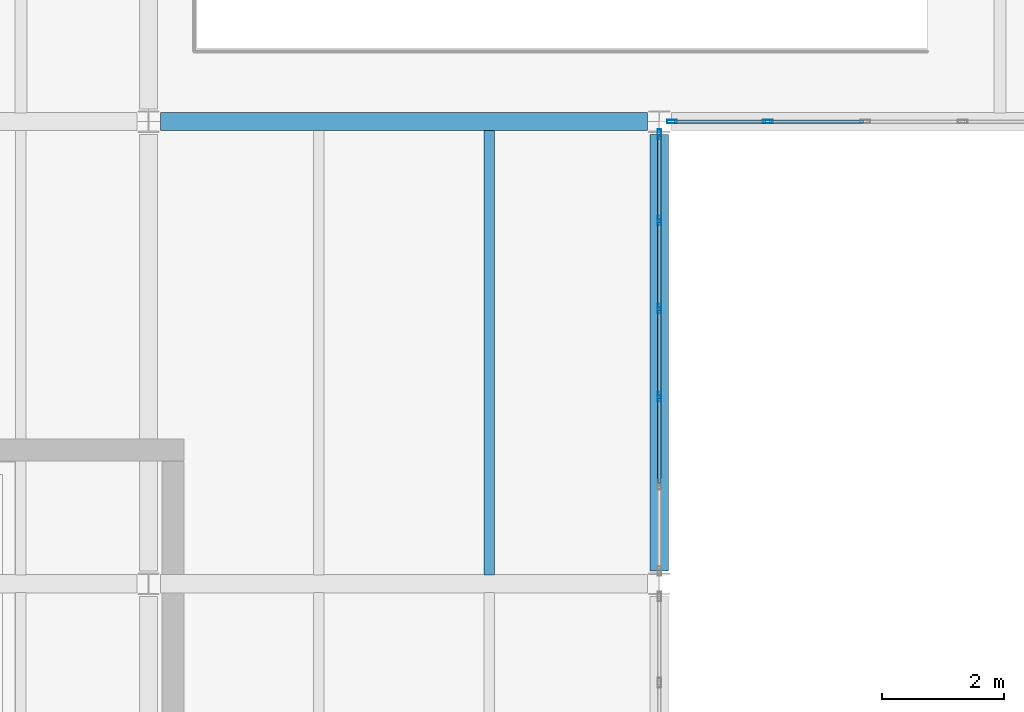
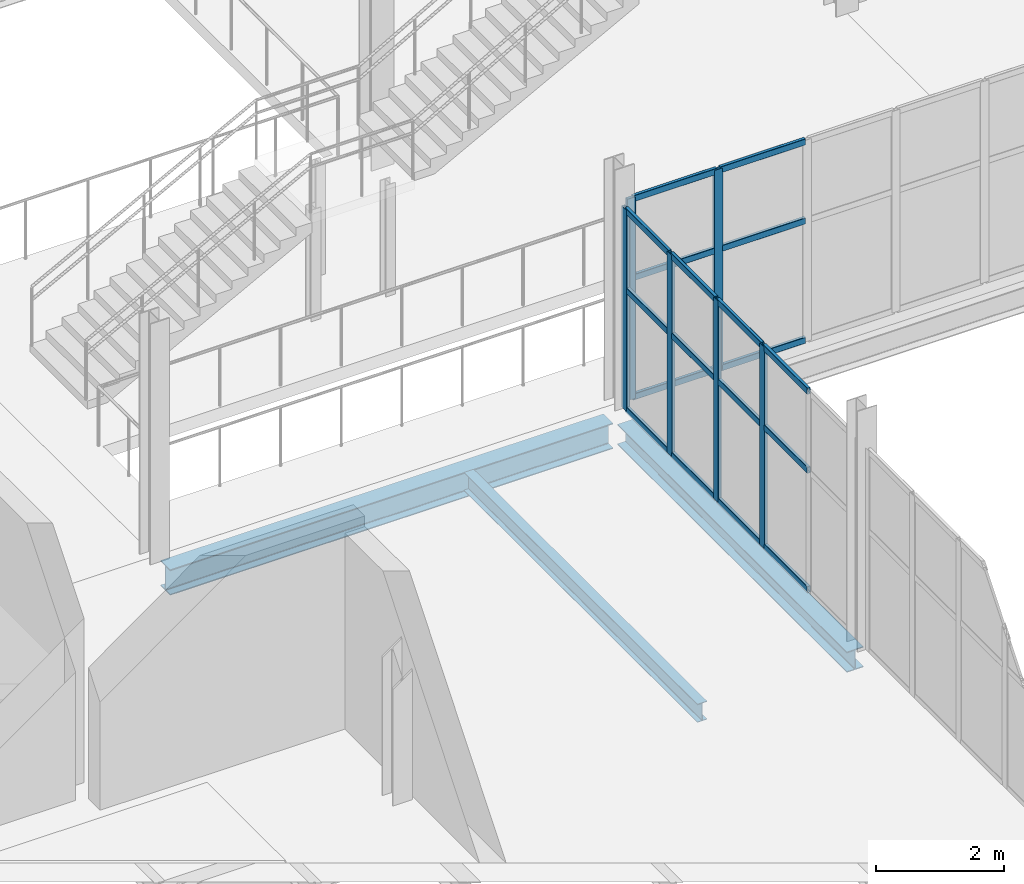
# One storey, part 39 of 172: 24 members, 3 beams, 2 elements without a shape of their own.
"""IFC4 building model written with IfcOpenShell, lengths in metres."""

from ifc_helpers import new_model, si_unit, direction, frame, origin, origin_2d, place, context, subcontext, project, spatial, hollow_rectangle, i_section, extrude, material, material_profile, profile_set, type_object, element, aggregate, save


model = new_model("IFC4")

# Units and contexts
model_context = context("Model", 3, precision=1e-05, world=origin(), true_north=direction((0.0, 1.0)))
body_context = subcontext(model_context, "Body", "Model", "MODEL_VIEW")
ifc_project = project(units=[si_unit("LENGTHUNIT", "METRE"), si_unit("AREAUNIT", "SQUARE_METRE"), si_unit("VOLUMEUNIT", "CUBIC_METRE"), si_unit("PLANEANGLEUNIT", "RADIAN"), si_unit("MASSUNIT", "GRAM", prefix="KILO")], contexts=[model_context])

# Site, building, storey
site_placement = place(None, origin())
site = spatial("IfcSite", under=ifc_project, at=site_placement, CompositionType="ELEMENT")
building_placement = place(site_placement, origin())
building = spatial("IfcBuilding", under=site, at=building_placement, Name="Shengluoqiao Park Theatre", CompositionType="ELEMENT")
storey_placement = place(building_placement, frame((0.0, 0.0, 5.39990234375)))
storey = spatial("IfcBuildingStorey", under=building, at=storey_placement, Name="L01", CompositionType="ELEMENT", Elevation=5.39990234375)

# Curtain wall, members
ifc_material_1 = material(Name="Aluminium 6063-T6", Category="aluminium")
curtain_wall_type_1 = type_object("IfcCurtainWallType", Name="ENV-CW-COURT", PredefinedType="NOTDEFINED", material=ifc_material_1)
curtain_wall_1_placement = place(storey_placement, origin())
curtain_wall_1 = element("IfcCurtainWall", 1, at=curtain_wall_1_placement, inside=storey, type_object=curtain_wall_type_1, Name="L01 Curtain Wall CWX-L01-0022", PredefinedType="NOTDEFINED")
ifc_material_profile_1 = material_profile(ifc_material_1, hollow_rectangle(XDim=0.06005859375, YDim=0.159912109375, WallThickness=0.00390625, InnerFilletRadius=0.00390625, OuterFilletRadius=0.008056640625, at=origin_2d()), Name="ALU MULLION 160x60x4")
ifc_profile_set_1 = profile_set([ifc_material_profile_1], Name="Aluminium 6063-T6")
member_type_1 = type_object("IfcMemberType", Name="ENV-MUL-160", PredefinedType="MULLION", material=ifc_profile_set_1)
member_1_placement = place(storey_placement, frame((36.0, 48.67578125, 0.0), z_axis=(0.0, 0.0, 1.0), x_axis=(-1.0, 0.0, 0.0)))
member_1 = element("IfcMember", 2, at=member_1_placement, type_object=member_type_1, Name="CW-05 mullion 3", PredefinedType="MULLION", context=body_context, shape_type="SweptSolid", body=[
    extrude(hollow_rectangle(XDim=0.06005859375, YDim=0.159912109375, WallThickness=0.00390625, InnerFilletRadius=0.00390625, OuterFilletRadius=0.008056640625, at=origin_2d()), origin(), (0.0, 0.0, 1.0), 3.85009765625),
])
member_2_placement = place(storey_placement, frame((36.0, 50.124267578125, 0.0), z_axis=(0.0, 0.0, 1.0), x_axis=(-1.0, 0.0, 0.0)))
member_2 = element("IfcMember", 3, at=member_2_placement, type_object=member_type_1, Name="CW-05 mullion 4", PredefinedType="MULLION", context=body_context, shape_type="SweptSolid", body=[
    extrude(hollow_rectangle(XDim=0.06005859375, YDim=0.159912109375, WallThickness=0.00390625, InnerFilletRadius=0.00390625, OuterFilletRadius=0.008056640625, at=origin_2d()), origin(), (0.0, 0.0, 1.0), 3.85009765625),
])
member_3_placement = place(storey_placement, frame((36.0, 51.572509765625, 0.0), z_axis=(0.0, 0.0, 1.0), x_axis=(-1.0, 0.0, 0.0)))
member_3 = element("IfcMember", 4, at=member_3_placement, type_object=member_type_1, Name="CW-05 mullion 5", PredefinedType="MULLION", context=body_context, shape_type="SweptSolid", body=[
    extrude(hollow_rectangle(XDim=0.06005859375, YDim=0.159912109375, WallThickness=0.00390625, InnerFilletRadius=0.00390625, OuterFilletRadius=0.008056640625, at=origin_2d()), origin(), (0.0, 0.0, 1.0), 3.85009765625),
])
member_4_placement = place(storey_placement, frame((36.0, 52.990966796875, 0.0), z_axis=(0.0, 0.0, 1.0), x_axis=(-1.0, 0.0, 0.0)))
member_4 = element("IfcMember", 5, at=member_4_placement, type_object=member_type_1, Name="CW-05 mullion 6", PredefinedType="MULLION", context=body_context, shape_type="SweptSolid", body=[
    extrude(hollow_rectangle(XDim=0.06005859375, YDim=0.159912109375, WallThickness=0.00390625, InnerFilletRadius=0.00390625, OuterFilletRadius=0.008056640625, at=origin_2d()), origin(), (0.0, 0.0, 1.0), 3.85009765625),
])

curtain_wall_type_2 = type_object("IfcCurtainWallType", Name="ENV-CW-FOYER", PredefinedType="NOTDEFINED", material=ifc_material_1)
curtain_wall_2_placement = place(storey_placement, origin())
curtain_wall_2 = element("IfcCurtainWall", 6, at=curtain_wall_2_placement, inside=storey, type_object=curtain_wall_type_2, Name="L01 Curtain Wall CWX-L01-0212", PredefinedType="NOTDEFINED")
member_5_placement = place(storey_placement, frame((36.208984375, 53.199951171875, 0.0), z_axis=(0.0, 0.0, 1.0), x_axis=(0.0, 1.0, 0.0)))
member_5 = element("IfcMember", 7, at=member_5_placement, type_object=member_type_1, Name="CW-01 mullion 1", PredefinedType="MULLION", context=body_context, shape_type="SweptSolid", body=[
    extrude(hollow_rectangle(XDim=0.06005859375, YDim=0.159912109375, WallThickness=0.00390625, InnerFilletRadius=0.00390625, OuterFilletRadius=0.008056640625, at=origin_2d()), origin(), (0.0, 0.0, 1.0), 3.85009765625),
])
member_6_placement = place(storey_placement, frame((37.782470703125, 53.199951171875, 0.0), z_axis=(0.0, 0.0, 1.0), x_axis=(0.0, 1.0, 0.0)))
member_6 = element("IfcMember", 8, at=member_6_placement, type_object=member_type_1, Name="CW-01 mullion 2", PredefinedType="MULLION", context=body_context, shape_type="SweptSolid", body=[
    extrude(hollow_rectangle(XDim=0.06005859375, YDim=0.159912109375, WallThickness=0.00390625, InnerFilletRadius=0.00390625, OuterFilletRadius=0.008056640625, at=origin_2d()), origin(), (0.0, 0.0, 1.0), 3.85009765625),
])

# Member
ifc_material_profile_2 = material_profile(ifc_material_1, hollow_rectangle(XDim=0.06005859375, YDim=0.1201171875, WallThickness=0.00390625, InnerFilletRadius=0.00390625, OuterFilletRadius=0.008056640625, at=origin_2d()), Name="ALU TRANSOM 120x60x4")
ifc_profile_set_2 = profile_set([ifc_material_profile_2], Name="Aluminium 6063-T6")
member_type_2 = type_object("IfcMemberType", Name="ENV-TRN-120", PredefinedType="USERDEFINED", material=ifc_profile_set_2)
member_7_placement = place(storey_placement, frame((36.0, 47.25732421875, 0.030029296875), z_axis=(0.0, 1.0, 0.0), x_axis=(-1.0, 0.0, 0.0)))
member_7 = element("IfcMember", 9, at=member_7_placement, type_object=member_type_2, Name="CW-05 transom 2.1", ObjectType="TRANSOM", PredefinedType="USERDEFINED", context=body_context, shape_type="SweptSolid", body=[
    extrude(hollow_rectangle(XDim=0.06005859375, YDim=0.1201171875, WallThickness=0.00390625, InnerFilletRadius=0.00390625, OuterFilletRadius=0.008056640625, at=origin_2d()), origin(), (0.0, 0.0, 1.0), 1.388427734375),
])

member_8_placement = place(storey_placement, frame((36.0, 47.25732421875, 2.31005859375), z_axis=(0.0, 1.0, 0.0), x_axis=(-1.0, 0.0, 0.0)))
member_8 = element("IfcMember", 10, at=member_8_placement, type_object=member_type_2, Name="CW-05 transom 2.2", ObjectType="TRANSOM", PredefinedType="USERDEFINED", context=body_context, shape_type="SweptSolid", body=[
    extrude(hollow_rectangle(XDim=0.06005859375, YDim=0.1201171875, WallThickness=0.00390625, InnerFilletRadius=0.00390625, OuterFilletRadius=0.008056640625, at=origin_2d()), origin(), (0.0, 0.0, 1.0), 1.388427734375),
])

member_9_placement = place(storey_placement, frame((36.0, 47.25732421875, 3.820068359375), z_axis=(0.0, 1.0, 0.0), x_axis=(-1.0, 0.0, 0.0)))
member_9 = element("IfcMember", 11, at=member_9_placement, type_object=member_type_2, Name="CW-05 transom 2.3", ObjectType="TRANSOM", PredefinedType="USERDEFINED", context=body_context, shape_type="SweptSolid", body=[
    extrude(hollow_rectangle(XDim=0.06005859375, YDim=0.1201171875, WallThickness=0.00390625, InnerFilletRadius=0.00390625, OuterFilletRadius=0.008056640625, at=origin_2d()), origin(), (0.0, 0.0, 1.0), 1.388427734375),
])

member_10_placement = place(storey_placement, frame((36.0, 48.705810546875, 0.030029296875), z_axis=(0.0, 1.0, 0.0), x_axis=(-1.0, 0.0, 0.0)))
member_10 = element("IfcMember", 12, at=member_10_placement, type_object=member_type_2, Name="CW-05 transom 3.1", ObjectType="TRANSOM", PredefinedType="USERDEFINED", context=body_context, shape_type="SweptSolid", body=[
    extrude(hollow_rectangle(XDim=0.06005859375, YDim=0.1201171875, WallThickness=0.00390625, InnerFilletRadius=0.00390625, OuterFilletRadius=0.008056640625, at=origin_2d()), origin(), (0.0, 0.0, 1.0), 1.388427734375),
])

member_11_placement = place(storey_placement, frame((36.0, 48.705810546875, 2.31005859375), z_axis=(0.0, 1.0, 0.0), x_axis=(-1.0, 0.0, 0.0)))
member_11 = element("IfcMember", 13, at=member_11_placement, type_object=member_type_2, Name="CW-05 transom 3.2", ObjectType="TRANSOM", PredefinedType="USERDEFINED", context=body_context, shape_type="SweptSolid", body=[
    extrude(hollow_rectangle(XDim=0.06005859375, YDim=0.1201171875, WallThickness=0.00390625, InnerFilletRadius=0.00390625, OuterFilletRadius=0.008056640625, at=origin_2d()), origin(), (0.0, 0.0, 1.0), 1.388427734375),
])

member_12_placement = place(storey_placement, frame((36.0, 48.705810546875, 3.820068359375), z_axis=(0.0, 1.0, 0.0), x_axis=(-1.0, 0.0, 0.0)))
member_12 = element("IfcMember", 14, at=member_12_placement, type_object=member_type_2, Name="CW-05 transom 3.3", ObjectType="TRANSOM", PredefinedType="USERDEFINED", context=body_context, shape_type="SweptSolid", body=[
    extrude(hollow_rectangle(XDim=0.06005859375, YDim=0.1201171875, WallThickness=0.00390625, InnerFilletRadius=0.00390625, OuterFilletRadius=0.008056640625, at=origin_2d()), origin(), (0.0, 0.0, 1.0), 1.388427734375),
])

member_13_placement = place(storey_placement, frame((36.0, 50.154296875, 0.030029296875), z_axis=(0.0, 1.0, 0.0), x_axis=(-1.0, 0.0, 0.0)))
member_13 = element("IfcMember", 15, at=member_13_placement, type_object=member_type_2, Name="CW-05 transom 4.1", ObjectType="TRANSOM", PredefinedType="USERDEFINED", context=body_context, shape_type="SweptSolid", body=[
    extrude(hollow_rectangle(XDim=0.06005859375, YDim=0.1201171875, WallThickness=0.00390625, InnerFilletRadius=0.00390625, OuterFilletRadius=0.008056640625, at=origin_2d()), origin(), (0.0, 0.0, 1.0), 1.38818359375),
])

member_14_placement = place(storey_placement, frame((36.0, 50.154296875, 2.31005859375), z_axis=(0.0, 1.0, 0.0), x_axis=(-1.0, 0.0, 0.0)))
member_14 = element("IfcMember", 16, at=member_14_placement, type_object=member_type_2, Name="CW-05 transom 4.2", ObjectType="TRANSOM", PredefinedType="USERDEFINED", context=body_context, shape_type="SweptSolid", body=[
    extrude(hollow_rectangle(XDim=0.06005859375, YDim=0.1201171875, WallThickness=0.00390625, InnerFilletRadius=0.00390625, OuterFilletRadius=0.008056640625, at=origin_2d()), origin(), (0.0, 0.0, 1.0), 1.38818359375),
])

member_15_placement = place(storey_placement, frame((36.0, 50.154296875, 3.820068359375), z_axis=(0.0, 1.0, 0.0), x_axis=(-1.0, 0.0, 0.0)))
member_15 = element("IfcMember", 17, at=member_15_placement, type_object=member_type_2, Name="CW-05 transom 4.3", ObjectType="TRANSOM", PredefinedType="USERDEFINED", context=body_context, shape_type="SweptSolid", body=[
    extrude(hollow_rectangle(XDim=0.06005859375, YDim=0.1201171875, WallThickness=0.00390625, InnerFilletRadius=0.00390625, OuterFilletRadius=0.008056640625, at=origin_2d()), origin(), (0.0, 0.0, 1.0), 1.38818359375),
])

member_16_placement = place(storey_placement, frame((36.0, 51.6025390625, 0.030029296875), z_axis=(0.0, 1.0, 0.0), x_axis=(-1.0, 0.0, 0.0)))
member_16 = element("IfcMember", 18, at=member_16_placement, type_object=member_type_2, Name="CW-05 transom 5.1", ObjectType="TRANSOM", PredefinedType="USERDEFINED", context=body_context, shape_type="SweptSolid", body=[
    extrude(hollow_rectangle(XDim=0.06005859375, YDim=0.1201171875, WallThickness=0.00390625, InnerFilletRadius=0.00390625, OuterFilletRadius=0.008056640625, at=origin_2d()), origin(), (0.0, 0.0, 1.0), 1.3583984375),
])

member_17_placement = place(storey_placement, frame((36.0, 51.6025390625, 2.31005859375), z_axis=(0.0, 1.0, 0.0), x_axis=(-1.0, 0.0, 0.0)))
member_17 = element("IfcMember", 19, at=member_17_placement, type_object=member_type_2, Name="CW-05 transom 5.2", ObjectType="TRANSOM", PredefinedType="USERDEFINED", context=body_context, shape_type="SweptSolid", body=[
    extrude(hollow_rectangle(XDim=0.06005859375, YDim=0.1201171875, WallThickness=0.00390625, InnerFilletRadius=0.00390625, OuterFilletRadius=0.008056640625, at=origin_2d()), origin(), (0.0, 0.0, 1.0), 1.3583984375),
])

member_18_placement = place(storey_placement, frame((36.0, 51.6025390625, 3.820068359375), z_axis=(0.0, 1.0, 0.0), x_axis=(-1.0, 0.0, 0.0)))
member_18 = element("IfcMember", 20, at=member_18_placement, type_object=member_type_2, Name="CW-05 transom 5.3", ObjectType="TRANSOM", PredefinedType="USERDEFINED", context=body_context, shape_type="SweptSolid", body=[
    extrude(hollow_rectangle(XDim=0.06005859375, YDim=0.1201171875, WallThickness=0.00390625, InnerFilletRadius=0.00390625, OuterFilletRadius=0.008056640625, at=origin_2d()), origin(), (0.0, 0.0, 1.0), 1.3583984375),
])

aggregate(curtain_wall_1, [member_1, member_2, member_3, member_4, member_7, member_8, member_9, member_10, member_11, member_12, member_13, member_14, member_15, member_16, member_17, member_18])

member_19_placement = place(storey_placement, frame((36.239013671875, 53.199951171875, 0.030029296875), z_axis=(1.0, 0.0, 0.0), x_axis=(0.0, 1.0, 0.0)))
member_19 = element("IfcMember", 21, at=member_19_placement, type_object=member_type_2, Name="CW-01 transom 1.1", ObjectType="TRANSOM", PredefinedType="USERDEFINED", context=body_context, shape_type="SweptSolid", body=[
    extrude(hollow_rectangle(XDim=0.06005859375, YDim=0.1201171875, WallThickness=0.00390625, InnerFilletRadius=0.00390625, OuterFilletRadius=0.008056640625, at=origin_2d()), origin(), (0.0, 0.0, 1.0), 1.513427734375),
])

member_20_placement = place(storey_placement, frame((36.239013671875, 53.199951171875, 2.31005859375), z_axis=(1.0, 0.0, 0.0), x_axis=(0.0, 1.0, 0.0)))
member_20 = element("IfcMember", 22, at=member_20_placement, type_object=member_type_2, Name="CW-01 transom 1.2", ObjectType="TRANSOM", PredefinedType="USERDEFINED", context=body_context, shape_type="SweptSolid", body=[
    extrude(hollow_rectangle(XDim=0.06005859375, YDim=0.1201171875, WallThickness=0.00390625, InnerFilletRadius=0.00390625, OuterFilletRadius=0.008056640625, at=origin_2d()), origin(), (0.0, 0.0, 1.0), 1.513427734375),
])

member_21_placement = place(storey_placement, frame((36.239013671875, 53.199951171875, 3.820068359375), z_axis=(1.0, 0.0, 0.0), x_axis=(0.0, 1.0, 0.0)))
member_21 = element("IfcMember", 23, at=member_21_placement, type_object=member_type_2, Name="CW-01 transom 1.3", ObjectType="TRANSOM", PredefinedType="USERDEFINED", context=body_context, shape_type="SweptSolid", body=[
    extrude(hollow_rectangle(XDim=0.06005859375, YDim=0.1201171875, WallThickness=0.00390625, InnerFilletRadius=0.00390625, OuterFilletRadius=0.008056640625, at=origin_2d()), origin(), (0.0, 0.0, 1.0), 1.513427734375),
])

member_22_placement = place(storey_placement, frame((37.8125, 53.199951171875, 0.030029296875), z_axis=(1.0, 0.0, 0.0), x_axis=(0.0, 1.0, 0.0)))
member_22 = element("IfcMember", 24, at=member_22_placement, type_object=member_type_2, Name="CW-01 transom 2.1", ObjectType="TRANSOM", PredefinedType="USERDEFINED", context=body_context, shape_type="SweptSolid", body=[
    extrude(hollow_rectangle(XDim=0.06005859375, YDim=0.1201171875, WallThickness=0.00390625, InnerFilletRadius=0.00390625, OuterFilletRadius=0.008056640625, at=origin_2d()), origin(), (0.0, 0.0, 1.0), 1.543212890625),
])

member_23_placement = place(storey_placement, frame((37.8125, 53.199951171875, 2.31005859375), z_axis=(1.0, 0.0, 0.0), x_axis=(0.0, 1.0, 0.0)))
member_23 = element("IfcMember", 25, at=member_23_placement, type_object=member_type_2, Name="CW-01 transom 2.2", ObjectType="TRANSOM", PredefinedType="USERDEFINED", context=body_context, shape_type="SweptSolid", body=[
    extrude(hollow_rectangle(XDim=0.06005859375, YDim=0.1201171875, WallThickness=0.00390625, InnerFilletRadius=0.00390625, OuterFilletRadius=0.008056640625, at=origin_2d()), origin(), (0.0, 0.0, 1.0), 1.543212890625),
])

member_24_placement = place(storey_placement, frame((37.8125, 53.199951171875, 3.820068359375), z_axis=(1.0, 0.0, 0.0), x_axis=(0.0, 1.0, 0.0)))
member_24 = element("IfcMember", 26, at=member_24_placement, type_object=member_type_2, Name="CW-01 transom 2.3", ObjectType="TRANSOM", PredefinedType="USERDEFINED", context=body_context, shape_type="SweptSolid", body=[
    extrude(hollow_rectangle(XDim=0.06005859375, YDim=0.1201171875, WallThickness=0.00390625, InnerFilletRadius=0.00390625, OuterFilletRadius=0.008056640625, at=origin_2d()), origin(), (0.0, 0.0, 1.0), 1.543212890625),
])

aggregate(curtain_wall_2, [member_5, member_6, member_19, member_20, member_21, member_22, member_23, member_24])

# Beams
ifc_material_2 = material(Name="Steel Q355", Category="steel")
ifc_material_profile_3 = material_profile(ifc_material_2, i_section(OverallWidth=0.300048828125, OverallDepth=0.389892578125, WebThickness=0.010009765625, FlangeThickness=0.01611328125, FilletRadius=0.01806640625, at=origin_2d()), Name="HM 390x300x10x16")
ifc_profile_set_3 = profile_set([ifc_material_profile_3], Name="Steel Q355")
beam_type_1 = type_object("IfcBeamType", Name="STR-BM-G-HM390", PredefinedType="BEAM", material=ifc_profile_set_3)
beam_1_placement = place(storey_placement, frame((36.0, 45.80810546875, -0.434814453125), z_axis=(0.0, 1.0, 0.0), x_axis=(-1.0, 0.0, 0.0)))
element("IfcBeam", 27, at=beam_1_placement, inside=storey, type_object=beam_type_1, Name="L01 Transverse Girder 00401", PredefinedType="BEAM", context=body_context, shape_type="SweptSolid", body=[
    extrude(i_section(OverallWidth=0.300048828125, OverallDepth=0.389892578125, WebThickness=0.010009765625, FlangeThickness=0.01611328125, FilletRadius=0.01806640625, at=origin_2d()), origin(), (0.0, 0.0, 1.0), 7.183837890625),
])
ifc_material_profile_4 = material_profile(ifc_material_2, i_section(OverallWidth=0.300048828125, OverallDepth=0.488037109375, WebThickness=0.010986328125, FlangeThickness=0.01806640625, FilletRadius=0.02197265625, at=origin_2d()), Name="HM 488x300x11x18")
ifc_profile_set_4 = profile_set([ifc_material_profile_4], Name="Steel Q355")
beam_type_2 = type_object("IfcBeamType", Name="STR-BM-G-HM488", PredefinedType="BEAM", material=ifc_profile_set_4)
beam_2_placement = place(storey_placement, frame((27.797607421875, 53.199951171875, -0.48388671875), z_axis=(1.0, 0.0, 0.0), x_axis=(0.0, 1.0, 0.0)))
element("IfcBeam", 28, at=beam_2_placement, inside=storey, type_object=beam_type_2, Name="L01 Primary Girder 00395", PredefinedType="BEAM", context=body_context, shape_type="SweptSolid", body=[
    extrude(i_section(OverallWidth=0.300048828125, OverallDepth=0.488037109375, WebThickness=0.010986328125, FlangeThickness=0.01806640625, FilletRadius=0.02197265625, at=origin_2d()), origin(), (0.0, 0.0, 1.0), 8.0048828125),
])
ifc_material_profile_5 = material_profile(ifc_material_2, i_section(OverallWidth=0.175048828125, OverallDepth=0.35009765625, WebThickness=0.007080078125, FlangeThickness=0.010986328125, FilletRadius=0.013916015625, at=origin_2d()), Name="HN 350x175x7x11")
ifc_profile_set_5 = profile_set([ifc_material_profile_5], Name="Steel Q355")
beam_type_3 = type_object("IfcBeamType", Name="STR-BM-J-HN350", PredefinedType="JOIST", material=ifc_profile_set_5)
beam_3_placement = place(storey_placement, frame((33.199951171875, 45.7451171875, -0.414794921875), z_axis=(0.0, 1.0, 0.0), x_axis=(-1.0, 0.0, 0.0)))
element("IfcBeam", 29, at=beam_3_placement, inside=storey, type_object=beam_type_3, Name="L01 Composite Joist 00414", PredefinedType="JOIST", context=body_context, shape_type="SweptSolid", body=[
    extrude(i_section(OverallWidth=0.175048828125, OverallDepth=0.35009765625, WebThickness=0.007080078125, FlangeThickness=0.010986328125, FilletRadius=0.013916015625, at=origin_2d()), origin(), (0.0, 0.0, 1.0), 7.309814453125),
])

save(model, "model.ifc")
